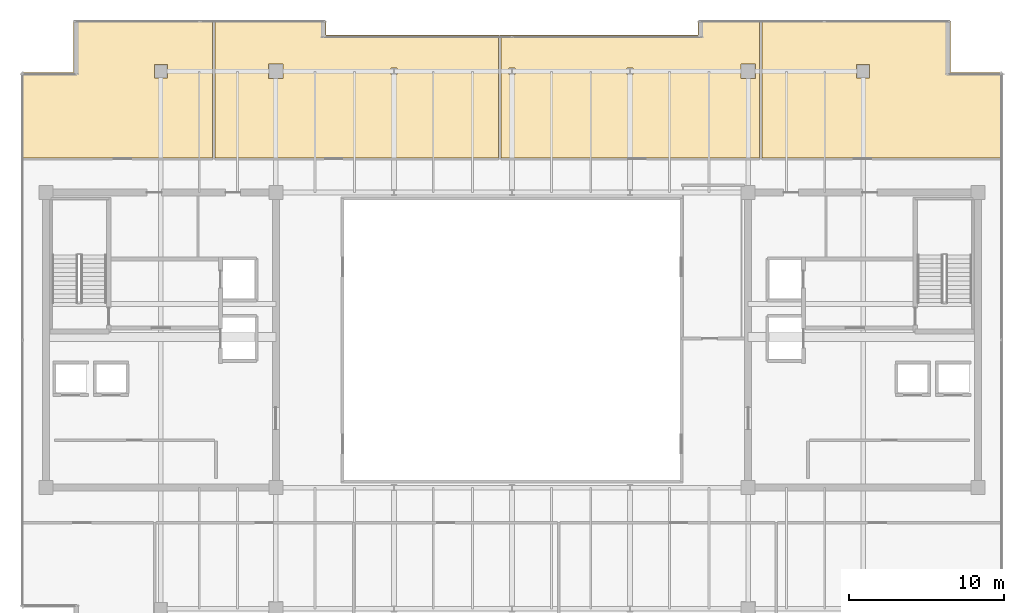
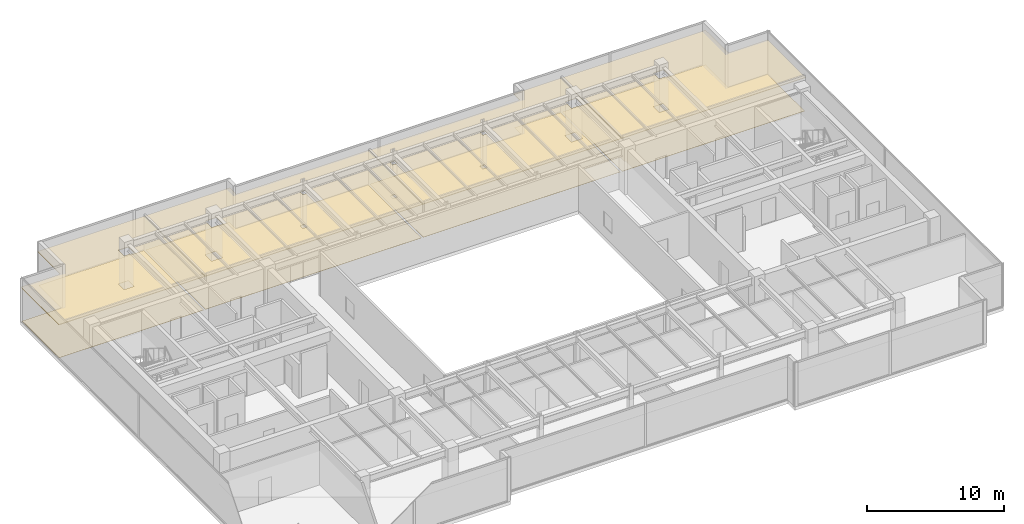
# One storey, part 34 of 34: 8 coverings.
"""IFC4 building model written with IfcOpenShell, lengths in metres."""

from ifc_helpers import new_model, si_unit, direction, frame, origin, place, context, subcontext, project, spatial, polyline, outline, extrude, material, layer, layer_set, type_object, element, save


model = new_model("IFC4")

# Units and contexts
model_context = context("Model", 3, precision=1e-05, world=origin(), true_north=direction((0.0, 1.0)))
body_context = subcontext(model_context, "Body", "Model", "MODEL_VIEW")
ifc_project = project(units=[si_unit("LENGTHUNIT", "METRE"), si_unit("AREAUNIT", "SQUARE_METRE"), si_unit("VOLUMEUNIT", "CUBIC_METRE"), si_unit("PLANEANGLEUNIT", "RADIAN"), si_unit("MASSUNIT", "GRAM", prefix="KILO")], contexts=[model_context])

# Site, building, storey
site_placement = place(None, origin())
site = spatial("IfcSite", under=ifc_project, at=site_placement, CompositionType="ELEMENT")
building_placement = place(site_placement, origin())
building = spatial("IfcBuilding", under=site, at=building_placement, Name="Haelvirn Gate Laboratories", CompositionType="ELEMENT")
storey_placement = place(building_placement, frame((0.0, 0.0, 322.800048828125)))
storey = spatial("IfcBuildingStorey", under=building, at=storey_placement, Name="L77", CompositionType="ELEMENT", Elevation=322.800048828125)

# Coverings
ifc_material_1 = material(Name="Washable cleanroom gasketed aluminium ceiling", Category="aluminium")
ifc_layer_1 = layer(ifc_material_1, 0.050048828125, Name="COV-CEIL-CLN")
ifc_layer_set_1 = layer_set([ifc_layer_1], Name="Washable cleanroom gasketed aluminium ceiling")
covering_type_1 = type_object("IfcCoveringType", Name="COV-CEIL-CLN", PredefinedType="CEILING", material=ifc_layer_set_1)
covering_1_placement = place(storey_placement, frame((0.0, 0.0, 2.989990234375)))
element("IfcCovering", 1, at=covering_1_placement, inside=storey, type_object=covering_type_1, Name="L77 Laboratory Acoustic Ceiling CEIL-SP-L77-N-01", PredefinedType="CEILING", context=body_context, shape_type="SweptSolid", body=[
    extrude(outline(polyline([(5.85009765625, 41.52001953125), (9.179931640625, 41.52001953125), (9.179931640625, 44.85009765625), (18.179931640625, 44.85009765625), (18.179931640625, 35.969970703125), (5.85009765625, 35.969970703125), (5.85009765625, 41.52001953125)]), holes=[polyline([(15.219970703125, 42.02001953125), (14.3798828125, 42.02001953125), (14.3798828125, 41.179931640625), (15.219970703125, 41.179931640625), (15.219970703125, 42.02001953125)])]), origin(), (0.0, 0.0, 1.0), 0.050048828125),
])
covering_2_placement = place(storey_placement, frame((0.0, 0.0, 2.989990234375)))
element("IfcCovering", 2, at=covering_2_placement, inside=storey, type_object=covering_type_1, Name="L77 Laboratory Acoustic Ceiling CEIL-SP-L77-N-02", PredefinedType="CEILING", context=body_context, shape_type="SweptSolid", body=[
    extrude(outline(polyline([(36.580078125, 35.969970703125), (18.219970703125, 35.969970703125), (18.219970703125, 44.85009765625), (25.419921875, 44.85009765625), (25.419921875, 43.919921875), (36.580078125, 43.919921875), (36.580078125, 35.969970703125)]), holes=[polyline([(21.72998046875, 42.070068359375), (21.72998046875, 41.1298828125), (22.669921875, 41.1298828125), (22.669921875, 42.070068359375), (21.72998046875, 42.070068359375)]), polyline([(29.9951171875, 41.794921875), (29.60498046875, 41.794921875), (29.60498046875, 41.405029296875), (29.9951171875, 41.405029296875), (29.9951171875, 41.794921875)])]), origin(), (0.0, 0.0, 1.0), 0.050048828125),
])
covering_3_placement = place(storey_placement, frame((0.0, 0.0, 2.989990234375)))
element("IfcCovering", 3, at=covering_3_placement, inside=storey, type_object=covering_type_1, Name="L77 Laboratory Acoustic Ceiling CEIL-SP-L77-N-03", PredefinedType="CEILING", context=body_context, shape_type="SweptSolid", body=[
    extrude(outline(polyline([(53.3798828125, 35.969970703125), (36.6201171875, 35.969970703125), (36.6201171875, 43.919921875), (49.3798828125, 43.919921875), (49.3798828125, 44.85009765625), (53.3798828125, 44.85009765625), (53.3798828125, 35.969970703125)]), holes=[polyline([(52.1298828125, 41.1298828125), (53.070068359375, 41.1298828125), (53.070068359375, 42.070068359375), (52.1298828125, 42.070068359375), (52.1298828125, 41.1298828125)]), polyline([(37.205078125, 41.794921875), (37.205078125, 41.405029296875), (37.594970703125, 41.405029296875), (37.594970703125, 41.794921875), (37.205078125, 41.794921875)]), polyline([(45.195068359375, 41.794921875), (44.804931640625, 41.794921875), (44.804931640625, 41.405029296875), (45.195068359375, 41.405029296875), (45.195068359375, 41.794921875)])]), origin(), (0.0, 0.0, 1.0), 0.050048828125),
])
covering_4_placement = place(storey_placement, frame((0.0, 0.0, 2.989990234375)))
element("IfcCovering", 4, at=covering_4_placement, inside=storey, type_object=covering_type_1, Name="L77 Laboratory Acoustic Ceiling CEIL-SP-L77-N-04", PredefinedType="CEILING", context=body_context, shape_type="SweptSolid", body=[
    extrude(outline(polyline([(65.6201171875, 44.85009765625), (65.6201171875, 41.52001953125), (68.949951171875, 41.52001953125), (68.949951171875, 35.969970703125), (53.419921875, 35.969970703125), (53.419921875, 44.85009765625), (65.6201171875, 44.85009765625)]), holes=[polyline([(60.419921875, 42.02001953125), (59.580078125, 42.02001953125), (59.580078125, 41.179931640625), (60.419921875, 41.179931640625), (60.419921875, 42.02001953125)])]), origin(), (0.0, 0.0, 1.0), 0.050048828125),
])
ifc_material_2 = material(Name="Seamless chemical-resistant epoxy laboratory flooring")
ifc_layer_2 = layer(ifc_material_2, 0.01806640625, Name="COV-FLR-RESIN")
ifc_layer_set_2 = layer_set([ifc_layer_2], Name="Seamless chemical-resistant epoxy laboratory flooring")
covering_type_2 = type_object("IfcCoveringType", Name="COV-FLR-RESIN", PredefinedType="FLOORING", material=ifc_layer_set_2)
covering_5_placement = place(storey_placement, origin())
element("IfcCovering", 5, at=covering_5_placement, inside=storey, type_object=covering_type_2, Name="L77 Seamless Laboratory Flooring FLR-SP-L77-N-01", PredefinedType="FLOORING", context=body_context, shape_type="SweptSolid", body=[
    extrude(outline(polyline([(5.909912109375, 36.030029296875), (5.909912109375, 41.4599609375), (9.199951171875, 41.4599609375), (9.203857421875, 41.460205078125), (9.207763671875, 41.460693359375), (9.211669921875, 41.461669921875), (9.21533203125, 41.462890625), (9.218994140625, 41.464599609375), (9.22216796875, 41.466796875), (9.225341796875, 41.468994140625), (9.228271484375, 41.4716796875), (9.23095703125, 41.474609375), (9.2333984375, 41.477783203125), (9.2353515625, 41.481201171875), (9.237060546875, 41.484619140625), (9.23828125, 41.48828125), (9.2392578125, 41.4921875), (9.23974609375, 41.49609375), (9.239990234375, 41.5), (9.239990234375, 44.7900390625), (18.1201171875, 44.7900390625), (18.1201171875, 36.030029296875), (5.909912109375, 36.030029296875)]), holes=[polyline([(14.3798828125, 42.02001953125), (14.3798828125, 41.179931640625), (15.219970703125, 41.179931640625), (15.219970703125, 42.02001953125), (14.3798828125, 42.02001953125)])]), origin(), (0.0, 0.0, 1.0), 0.01806640625),
])
covering_6_placement = place(storey_placement, origin())
element("IfcCovering", 6, at=covering_6_placement, inside=storey, type_object=covering_type_2, Name="L77 Seamless Laboratory Flooring FLR-SP-L77-N-02", PredefinedType="FLOORING", context=body_context, shape_type="SweptSolid", body=[
    extrude(outline(polyline([(25.360107421875, 44.7900390625), (25.360107421875, 43.89990234375), (25.360107421875, 43.89599609375), (25.36083984375, 43.89208984375), (25.36181640625, 43.888427734375), (25.363037109375, 43.884765625), (25.36474609375, 43.881103515625), (25.36669921875, 43.877685546875), (25.369140625, 43.87451171875), (25.37158203125, 43.87158203125), (25.37451171875, 43.869140625), (25.377685546875, 43.86669921875), (25.381103515625, 43.86474609375), (25.384765625, 43.863037109375), (25.388427734375, 43.86181640625), (25.39208984375, 43.86083984375), (25.39599609375, 43.860107421875), (25.39990234375, 43.860107421875), (36.52001953125, 43.860107421875), (36.52001953125, 36.030029296875), (18.280029296875, 36.030029296875), (18.280029296875, 44.7900390625), (25.360107421875, 44.7900390625)]), holes=[polyline([(21.72998046875, 41.1298828125), (22.669921875, 41.1298828125), (22.669921875, 42.070068359375), (21.72998046875, 42.070068359375), (21.72998046875, 41.1298828125)]), polyline([(29.60498046875, 41.794921875), (29.60498046875, 41.405029296875), (29.9951171875, 41.405029296875), (29.9951171875, 41.794921875), (29.60498046875, 41.794921875)])]), origin(), (0.0, 0.0, 1.0), 0.01806640625),
])
covering_7_placement = place(storey_placement, origin())
element("IfcCovering", 7, at=covering_7_placement, inside=storey, type_object=covering_type_2, Name="L77 Seamless Laboratory Flooring FLR-SP-L77-N-03", PredefinedType="FLOORING", context=body_context, shape_type="SweptSolid", body=[
    extrude(outline(polyline([(49.39990234375, 43.860107421875), (49.40380859375, 43.860107421875), (49.40771484375, 43.86083984375), (49.41162109375, 43.86181640625), (49.415283203125, 43.863037109375), (49.4189453125, 43.86474609375), (49.422119140625, 43.86669921875), (49.42529296875, 43.869140625), (49.42822265625, 43.87158203125), (49.430908203125, 43.87451171875), (49.433349609375, 43.877685546875), (49.435302734375, 43.881103515625), (49.43701171875, 43.884765625), (49.438232421875, 43.888427734375), (49.439208984375, 43.89208984375), (49.439697265625, 43.89599609375), (49.43994140625, 43.89990234375), (49.43994140625, 44.7900390625), (53.320068359375, 44.7900390625), (53.320068359375, 36.030029296875), (36.679931640625, 36.030029296875), (36.679931640625, 43.860107421875), (49.39990234375, 43.860107421875)]), holes=[polyline([(53.070068359375, 41.1298828125), (53.070068359375, 42.070068359375), (52.1298828125, 42.070068359375), (52.1298828125, 41.1298828125), (53.070068359375, 41.1298828125)]), polyline([(37.205078125, 41.405029296875), (37.594970703125, 41.405029296875), (37.594970703125, 41.794921875), (37.205078125, 41.794921875), (37.205078125, 41.405029296875)]), polyline([(44.804931640625, 41.794921875), (44.804931640625, 41.405029296875), (45.195068359375, 41.405029296875), (45.195068359375, 41.794921875), (44.804931640625, 41.794921875)])]), origin(), (0.0, 0.0, 1.0), 0.01806640625),
])
covering_8_placement = place(storey_placement, origin())
element("IfcCovering", 8, at=covering_8_placement, inside=storey, type_object=covering_type_2, Name="L77 Seamless Laboratory Flooring FLR-SP-L77-N-04", PredefinedType="FLOORING", context=body_context, shape_type="SweptSolid", body=[
    extrude(outline(polyline([(53.47998046875, 44.7900390625), (65.56005859375, 44.7900390625), (65.56005859375, 41.5), (65.560302734375, 41.49609375), (65.560791015625, 41.4921875), (65.561767578125, 41.48828125), (65.56298828125, 41.484619140625), (65.564697265625, 41.481201171875), (65.566650390625, 41.477783203125), (65.569091796875, 41.474609375), (65.57177734375, 41.4716796875), (65.57470703125, 41.468994140625), (65.577880859375, 41.466796875), (65.5810546875, 41.464599609375), (65.584716796875, 41.462890625), (65.58837890625, 41.461669921875), (65.59228515625, 41.460693359375), (65.59619140625, 41.460205078125), (65.60009765625, 41.4599609375), (68.889892578125, 41.4599609375), (68.889892578125, 36.030029296875), (53.47998046875, 36.030029296875), (53.47998046875, 44.7900390625)]), holes=[polyline([(59.580078125, 42.02001953125), (59.580078125, 41.179931640625), (60.419921875, 41.179931640625), (60.419921875, 42.02001953125), (59.580078125, 42.02001953125)])]), origin(), (0.0, 0.0, 1.0), 0.01806640625),
])

save(model, "model.ifc")
